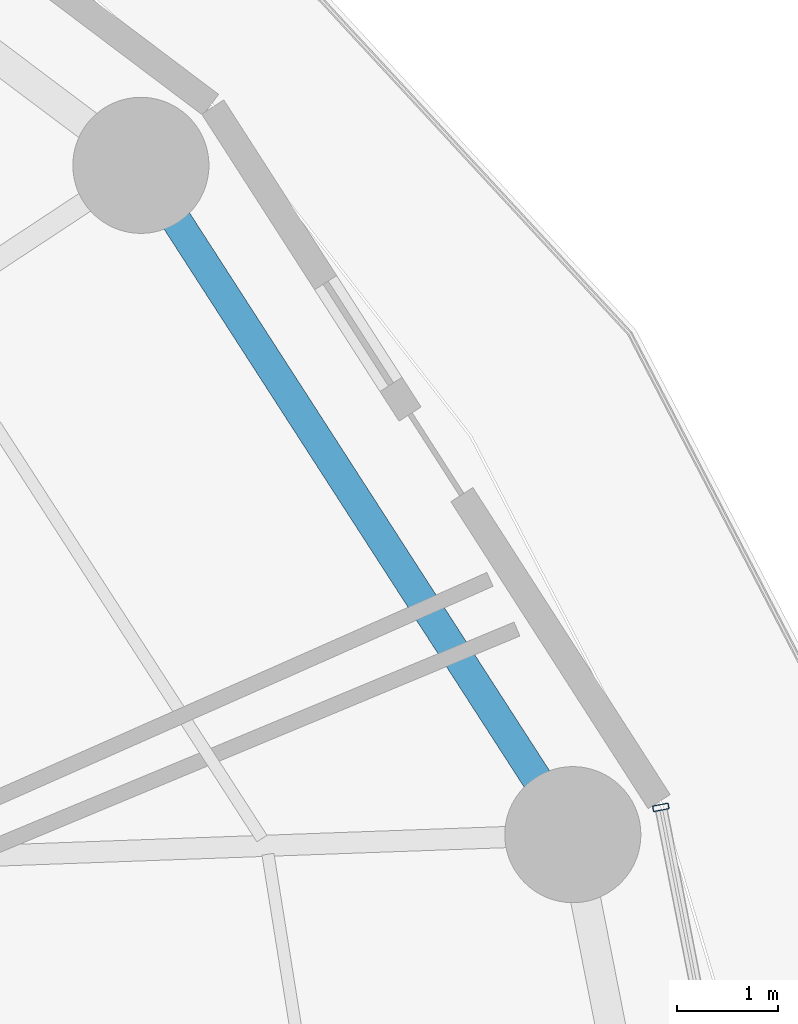
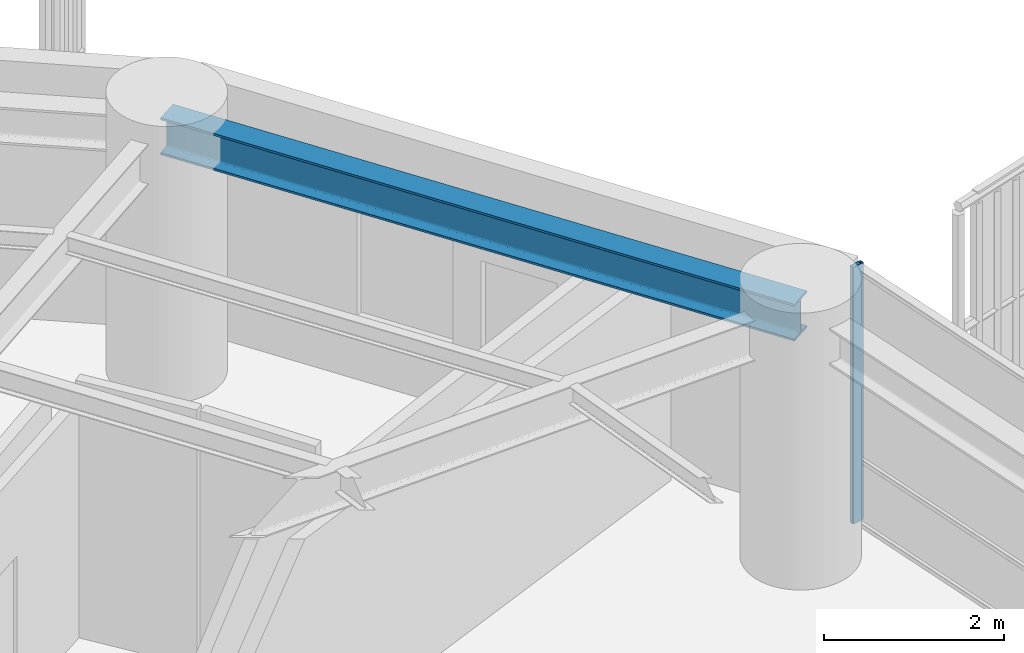
# One storey, part 25 of 35: 1 beam, 1 member, 1 element without a shape of its own.
"""IFC4 building model written with IfcOpenShell, lengths in metres."""

import ifcopenshell
import ifcopenshell.guid

model = None  # the IFC model being written
_history = None  # IfcOwnerHistory: only IFC2X3 demands one
_inside = {}  # id of a spatial element -> (the spatial element, [elements in it])
_under = {}  # id of a project, library or spatial element -> (it, [spatial elements below it])
_declared = {}  # id of a project -> (the project, [libraries it declares])
_typed = {}  # id of a type object -> (the type object, [elements of that type])
_made_of = {}  # id of a material, layer set ... -> (it, [elements and type objects made of it])


def new_model(schema):
    """Start an empty IFC model of exactly this schema.

    Asked for "IFC4X3", IfcOpenShell would pick the latest addendum, in which some entities
    have other attributes; the version numbers below select the first issue.
    IFC2X3 requires an IfcOwnerHistory on every rooted entity: one is made here for all.
    """
    global model, _history
    if schema == "IFC4X3":
        model = ifcopenshell.file(schema_version=(4, 3, 0, 0))
    else:
        model = ifcopenshell.file(schema=schema)
    _inside.clear()
    _under.clear()
    _declared.clear()
    _typed.clear()
    _made_of.clear()
    _history = None
    if model.schema == "IFC2X3":
        org = make("IfcOrganization", Name="unknown")
        user = make(
            "IfcPersonAndOrganization",
            ThePerson=make("IfcPerson", FamilyName="unknown"),
            TheOrganization=org,
        )
        app = make(
            "IfcApplication",
            ApplicationDeveloper=org,
            Version="unknown",
            ApplicationFullName="unknown",
            ApplicationIdentifier="unknown",
        )
        _history = make(
            "IfcOwnerHistory",
            OwningUser=user,
            OwningApplication=app,
            ChangeAction="ADDED",
            CreationDate=0,
        )
    return model


def make(cls, **values):
    """One entity of the class cls with the attributes given. An attribute that is None is left unset."""
    return model.create_entity(
        cls, **{name: value for name, value in values.items() if value is not None}
    )


def rooted(cls, **values):
    """An entity with a GlobalId (a new one), such as an element, a storey or a relation."""
    return make(cls, GlobalId=ifcopenshell.guid.new(), OwnerHistory=_history, **values)


def si_unit(unit_type, name, prefix=None):
    """IfcSIUnit, for example si_unit("LENGTHUNIT", "METRE", prefix="MILLI")."""
    return make("IfcSIUnit", UnitType=unit_type, Prefix=prefix, Name=name)


def assignment(units):
    """IfcUnitAssignment: the units of a project."""
    return None if units is None else make("IfcUnitAssignment", Units=units)


def point(xyz):
    """IfcCartesianPoint."""
    return None if xyz is None else make("IfcCartesianPoint", Coordinates=xyz)


def direction(xyz):
    """IfcDirection."""
    return None if xyz is None else make("IfcDirection", DirectionRatios=xyz)


def frame(location, z_axis=None, x_axis=None):
    """IfcAxis2Placement3D, a coordinate frame: its origin and axes. An axis left out is left unset."""
    return make(
        "IfcAxis2Placement3D",
        Location=point(location),
        Axis=direction(z_axis),
        RefDirection=direction(x_axis),
    )


def frame_2d(location, x_axis=None):
    """IfcAxis2Placement2D, a coordinate frame in the plane: its origin and x axis."""
    return make(
        "IfcAxis2Placement2D", Location=point(location), RefDirection=direction(x_axis)
    )


def origin():
    """The frame at (0, 0, 0) with its axes left unset."""
    return frame((0.0, 0.0, 0.0))


def origin_2d():
    """The frame at (0, 0) in the plane with its x axis left unset."""
    return frame_2d((0.0, 0.0))


def place(relative_to, where):
    """IfcLocalPlacement: puts the frame where relative to a parent placement (None: the world)."""
    return make(
        "IfcLocalPlacement", PlacementRelTo=relative_to, RelativePlacement=where
    )


def context(
    kind, dimensions, precision=None, world=None, true_north=None, identifier=None
):
    """IfcGeometricRepresentationContext, for example the 3D "Model" context."""
    return make(
        "IfcGeometricRepresentationContext",
        ContextIdentifier=identifier,
        ContextType=kind,
        CoordinateSpaceDimension=dimensions,
        Precision=precision,
        WorldCoordinateSystem=world,
        TrueNorth=true_north,
    )


def subcontext(parent, identifier, kind, view, scale=None):
    """IfcGeometricRepresentationSubContext, for example "Body" below "Model"."""
    return make(
        "IfcGeometricRepresentationSubContext",
        ContextIdentifier=identifier,
        ContextType=kind,
        ParentContext=parent,
        TargetScale=scale,
        TargetView=view,
    )


def project(units=None, contexts=None):
    """IfcProject with its units and contexts."""
    return rooted(
        "IfcProject",
        Name="project",
        RepresentationContexts=contexts,
        UnitsInContext=assignment(units),
    )


def spatial(cls, under=None, at=None, **own):
    """A site, building, storey or space (cls), placed at a placement, below another one or the project."""
    s = rooted(cls, ObjectPlacement=at, **own)
    if under is not None:
        _under.setdefault(under.id(), (under, []))[1].append(s)
    return s


def profile(cls, at=None, kind="AREA", **sizes):
    """A parametric profile (cls). Its sizes go by their IFC names, for example OverallWidth=200.0."""
    return make(cls, ProfileType=kind, Position=at, **sizes)


def hollow_rectangle(**sizes):
    """IfcRectangleHollowProfileDef."""
    return profile("IfcRectangleHollowProfileDef", **sizes)


def i_section(**sizes):
    """IfcIShapeProfileDef."""
    return profile("IfcIShapeProfileDef", **sizes)


def extrude(swept, where, along, depth):
    """IfcExtrudedAreaSolid: the profile swept, set in the frame where, extruded along a direction by depth."""
    return make(
        "IfcExtrudedAreaSolid",
        SweptArea=swept,
        Position=where,
        ExtrudedDirection=direction(along),
        Depth=depth,
    )


def shape(context_of_items, identifier, shape_type, items):
    """IfcShapeRepresentation: the items that make up one representation, for example the "Body"."""
    return make(
        "IfcShapeRepresentation",
        ContextOfItems=context_of_items,
        RepresentationIdentifier=identifier,
        RepresentationType=shape_type,
        Items=items,
    )


def material(Name=None, Category=None):
    """IfcMaterial."""
    return make("IfcMaterial", Name=Name, Category=Category)


def layer(
    of_material, thickness, ventilated=None, Name=None, Category=None, Priority=None
):
    """IfcMaterialLayer: one layer of a wall or slab, of a material (None: an air gap)."""
    return make(
        "IfcMaterialLayer",
        Material=of_material,
        LayerThickness=thickness,
        IsVentilated=ventilated,
        Name=Name,
        Category=Category,
        Priority=Priority,
    )


def layer_set(layers, Name=None):
    """IfcMaterialLayerSet."""
    return make("IfcMaterialLayerSet", MaterialLayers=layers, LayerSetName=Name)


def material_profile(
    of_material, cross_section, Name=None, Category=None, Priority=None
):
    """IfcMaterialProfile: a cross section and its material."""
    return make(
        "IfcMaterialProfile",
        Name=Name,
        Material=of_material,
        Profile=cross_section,
        Priority=Priority,
        Category=Category,
    )


def profile_set(profiles, Name=None, composite=None):
    """IfcMaterialProfileSet."""
    return make(
        "IfcMaterialProfileSet",
        Name=Name,
        MaterialProfiles=profiles,
        CompositeProfile=composite,
    )


def made_of(thing, what):
    """Note that an element or type object is made of a material, layer set ...; save() writes the relation."""
    if what is not None:
        _made_of.setdefault(what.id(), (what, []))[1].append(thing)
    return thing


def type_object(cls, material=None, **own):
    """A type object (cls), such as IfcWallType, which elements share."""
    return made_of(rooted(cls, **own), material)


def element(
    cls,
    number,
    at=None,
    inside=None,
    cuts=None,
    type_object=None,
    material=None,
    context=None,
    identifier="Body",
    shape_type=None,
    held_by="IfcProductDefinitionShape",
    body=None,
    shapes=None,
    **own,
):
    """One element of the class cls, such as IfcWall. Its Tag is "e" and its number.

    at: its placement. inside: the storey or other place that contains it. cuts: it is an
    opening in that element (IfcRelVoidsElement). A single representation is given by context,
    identifier, shape_type and body (its items); several are given by shapes. held_by: the class
    of the entity that holds the representations. save() writes the other relations.
    """
    e = rooted(cls, Tag="e%d" % number, ObjectPlacement=at, **own)
    if body is not None:
        shapes = [shape(context, identifier, shape_type, body)]
    if shapes is not None:
        e.Representation = make(held_by, Representations=shapes)
    if inside is not None:
        _inside.setdefault(inside.id(), (inside, []))[1].append(e)
    if cuts is not None:
        rooted(
            "IfcRelVoidsElement", RelatingBuildingElement=cuts, RelatedOpeningElement=e
        )
    if type_object is not None:
        _typed.setdefault(type_object.id(), (type_object, []))[1].append(e)
    return made_of(e, material)


def aggregate(whole, parts):
    """IfcRelAggregates: a whole, such as a stair, and the parts it consists of."""
    return rooted("IfcRelAggregates", RelatingObject=whole, RelatedObjects=parts)


def save(model, path):
    """Write the relations noted so far, then the file.

    IfcRelAggregates (storeys below a building ...), IfcRelContainedInSpatialStructure (elements
    in a storey), IfcRelDefinesByType, IfcRelAssociatesMaterial and IfcRelDeclares: one each for
    every whole, place, type object, material and project.
    """
    for whole, parts in _under.values():
        aggregate(whole, parts)
    for where, things in _inside.values():
        rooted(
            "IfcRelContainedInSpatialStructure",
            RelatedElements=things,
            RelatingStructure=where,
        )
    for kind, things in _typed.values():
        rooted("IfcRelDefinesByType", RelatedObjects=things, RelatingType=kind)
    for what, things in _made_of.values():
        rooted("IfcRelAssociatesMaterial", RelatedObjects=things, RelatingMaterial=what)
    for by, libraries in _declared.values():
        rooted("IfcRelDeclares", RelatingContext=by, RelatedDefinitions=libraries)
    model.write(path)


model = new_model("IFC4")

# Units and contexts
model_context = context("Model", 3, precision=1e-05, world=origin(), true_north=direction((0.0, 1.0)))
body_context = subcontext(model_context, "Body", "Model", "MODEL_VIEW")
ifc_project = project(units=[si_unit("LENGTHUNIT", "METRE"), si_unit("AREAUNIT", "SQUARE_METRE"), si_unit("VOLUMEUNIT", "CUBIC_METRE"), si_unit("PLANEANGLEUNIT", "RADIAN"), si_unit("MASSUNIT", "GRAM", prefix="KILO")], contexts=[model_context])

# Site, building, storey
site_placement = place(None, origin())
site = spatial("IfcSite", under=ifc_project, at=site_placement, CompositionType="ELEMENT")
building_placement = place(site_placement, origin())
building = spatial("IfcBuilding", under=site, at=building_placement, Name="Kelanora Arch Commons", CompositionType="ELEMENT")
storey_placement = place(building_placement, frame((0.0, 0.0, 91.35009765625)))
storey = spatial("IfcBuildingStorey", under=building, at=storey_placement, Name="L23", CompositionType="ELEMENT", Elevation=91.35009765625)

# Beam
ifc_material_1 = material(Name="Steel S355", Category="steel")
ifc_material_profile_1 = material_profile(ifc_material_1, i_section(OverallWidth=0.300048828125, OverallDepth=0.5, WebThickness=0.014404296875, FlangeThickness=0.028076171875, FilletRadius=0.027099609375, at=origin_2d()), Name="HEB500")
ifc_profile_set_1 = profile_set([ifc_material_profile_1], Name="Steel S355")
beam_type = type_object("IfcBeamType", Name="BM-SPN-Z2", PredefinedType="SPANDREL", material=ifc_profile_set_1)
beam_placement = place(storey_placement, frame((97.191650390625, 65.5517578125, 3.239990234375), z_axis=(-0.542221144054, 0.840235818649, 0.0), x_axis=(-0.840235818649, -0.542221144054, 0.0)))
element("IfcBeam", 1, at=beam_placement, inside=storey, type_object=beam_type, Name="Perimeter Spandrel Beam BS-02 L23", PredefinedType="SPANDREL", context=body_context, shape_type="SweptSolid", body=[
    extrude(i_section(OverallWidth=0.300048828125, OverallDepth=0.5, WebThickness=0.014404296875, FlangeThickness=0.028076171875, FilletRadius=0.027099609375, at=origin_2d()), origin(), (0.0, 0.0, 1.0), 7.90380859375),
])

# Curtain wall, member
ifc_material_2 = material(Name="Terracotta ceramic-fritted low-E glass and aluminium", Category="masonry")
ifc_layer = layer(ifc_material_2, 0.159912109375)
ifc_layer_set = layer_set([ifc_layer], Name="Terracotta ceramic-fritted low-E glass and aluminium")
curtain_wall_type = type_object("IfcCurtainWallType", Name="CW-SYS-01", PredefinedType="NOTDEFINED", material=ifc_layer_set)
curtain_wall_placement = place(storey_placement, origin())
curtain_wall = element("IfcCurtainWall", 2, at=curtain_wall_placement, inside=storey, type_object=curtain_wall_type, Name="Unitised Curtain Wall L23-B00", PredefinedType="NOTDEFINED")
ifc_material_3 = material(Name="Powder-coated aluminium terracotta", Category="masonry")
ifc_material_profile_2 = material_profile(ifc_material_3, hollow_rectangle(XDim=0.159912109375, YDim=0.06005859375, WallThickness=0.0048828125, InnerFilletRadius=0.0048828125, OuterFilletRadius=0.010009765625, at=origin_2d()), Name="CWM160x60")
ifc_profile_set_2 = profile_set([ifc_material_profile_2], Name="Powder-coated aluminium terracotta")
member_type = type_object("IfcMemberType", Name="CWM-STD", PredefinedType="MULLION", material=ifc_profile_set_2)
member_placement = place(storey_placement, frame((98.064697265625, 65.822265625, 0.0), z_axis=(0.0, 0.0, 1.0), x_axis=(-0.981280311646, -0.192584916272, 0.0)))
member = element("IfcMember", 3, at=member_placement, type_object=member_type, Name="CW-01 mullion 3", PredefinedType="MULLION", context=body_context, shape_type="SweptSolid", body=[
    extrude(hollow_rectangle(XDim=0.159912109375, YDim=0.06005859375, WallThickness=0.0048828125, InnerFilletRadius=0.0048828125, OuterFilletRadius=0.010009765625, at=origin_2d()), origin(), (0.0, 0.0, 1.0), 3.474853515625),
])
aggregate(curtain_wall, [member])

save(model, "model.ifc")
